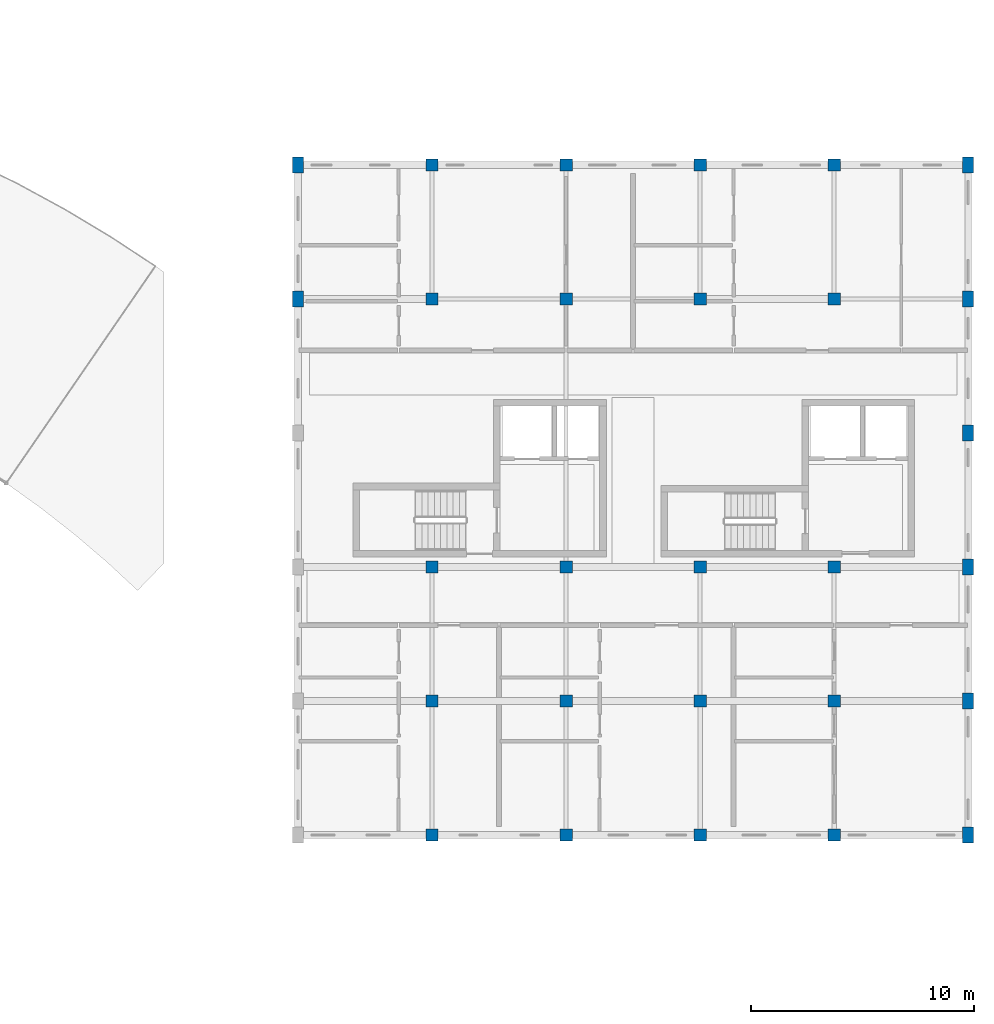
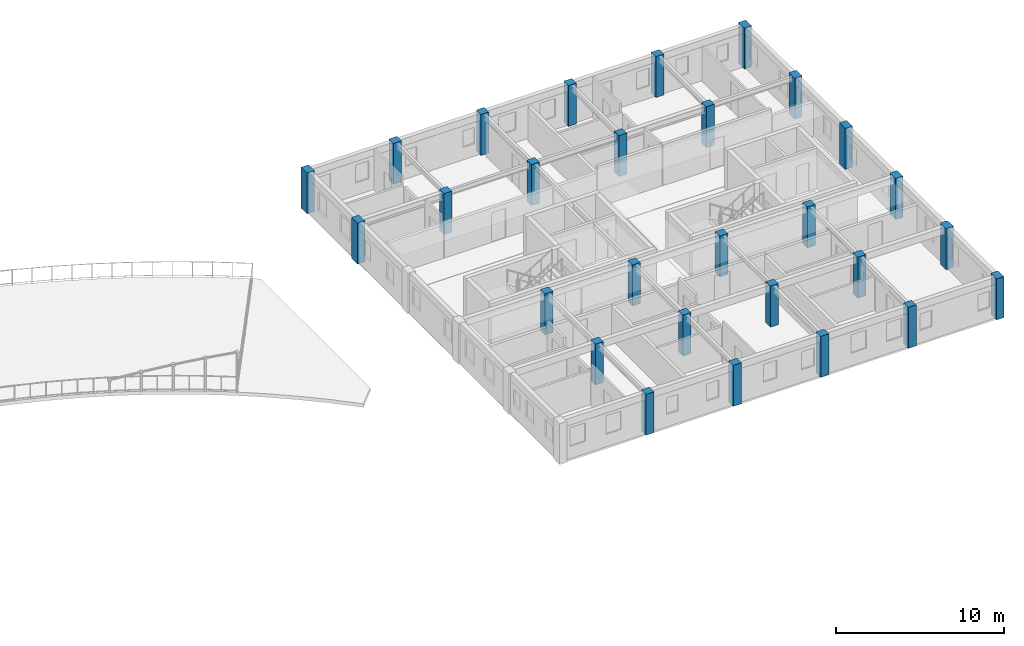
# One storey, part 2 of 58: 28 columns.
"""IFC4 building model written with IfcOpenShell, lengths in metres."""

from ifc_helpers import new_model, si_unit, direction, frame, origin, origin_2d, place, context, subcontext, project, spatial, rectangle, extrude, material, material_profile, profile_set, type_object, element, save


model = new_model("IFC4")

# Units and contexts
model_context = context("Model", 3, precision=1e-05, world=origin(), true_north=direction((0.0, 1.0)))
body_context = subcontext(model_context, "Body", "Model", "MODEL_VIEW")
ifc_project = project(units=[si_unit("LENGTHUNIT", "METRE"), si_unit("AREAUNIT", "SQUARE_METRE"), si_unit("VOLUMEUNIT", "CUBIC_METRE"), si_unit("PLANEANGLEUNIT", "RADIAN"), si_unit("MASSUNIT", "GRAM", prefix="KILO"), si_unit("POWERUNIT", "WATT"), si_unit("THERMODYNAMICTEMPERATUREUNIT", "KELVIN")], contexts=[model_context])

# Site, building, storey
site_placement = place(None, origin())
site = spatial("IfcSite", under=ifc_project, at=site_placement, CompositionType="ELEMENT")
building_placement = place(site_placement, origin())
building = spatial("IfcBuilding", under=site, at=building_placement, Name="Ruvembo Vaulted Housing Court", CompositionType="ELEMENT")
storey_placement = place(building_placement, frame((0.0, 0.0, 20.5)))
storey = spatial("IfcBuildingStorey", under=building, at=storey_placement, Name="L06", CompositionType="ELEMENT", Elevation=20.5)

# Columns
ifc_material = material(Name="Concrete C35/45", Category="concrete")
ifc_material_profile_1 = material_profile(ifc_material, rectangle(XDim=0.5, YDim=0.699951171875, at=origin_2d()), Name="RC 500x700")
ifc_profile_set_1 = profile_set([ifc_material_profile_1], Name="Concrete C35/45")
column_type_1 = type_object("IfcColumnType", Name="COL-RC-500x700", PredefinedType="COLUMN", material=ifc_profile_set_1)
for number, where, z_axis, x_axis, name in (
    (1, (156.0, 96.0, 0.0), (0.0, 0.0, 1.0), (1.0, 0.0, 0.0), "L06 Column (156,96)"),
    (2, (156.0, 102.0, 0.0), (0.0, 0.0, 1.0), (1.0, 0.0, 0.0), "L06 Column (156,102)"),
    (3, (186.0, 72.0, 0.0), (0.0, 0.0, 1.0), (1.0, 0.0, 0.0), "L06 Column (186,72)"),
    (4, (186.0, 78.0, 0.0), (0.0, 0.0, 1.0), (1.0, 0.0, 0.0), "L06 Column (186,78)"),
    (5, (186.0, 84.0, 0.0), (0.0, 0.0, 1.0), (1.0, 0.0, 0.0), "L06 Column (186,84)"),
    (6, (186.0, 90.0, 0.0), (0.0, 0.0, 1.0), (1.0, 0.0, 0.0), "L06 Column (186,90)"),
    (7, (186.0, 96.0, 0.0), (0.0, 0.0, 1.0), (1.0, 0.0, 0.0), "L06 Column (186,96)"),
    (8, (186.0, 102.0, 0.0), (0.0, 0.0, 1.0), (1.0, 0.0, 0.0), "L06 Column (186,102)"),
):
    element("IfcColumn", number, at=place(storey_placement, frame(where, z_axis=z_axis, x_axis=x_axis)), inside=storey, type_object=column_type_1, Name=name, PredefinedType="COLUMN", context=body_context, shape_type="SweptSolid", body=[
        extrude(rectangle(XDim=0.5, YDim=0.699951171875, at=origin_2d()), origin(), (0.0, 0.0, 1.0), 2.969970703125),
    ])
ifc_material_profile_2 = material_profile(ifc_material, rectangle(XDim=0.550048828125, YDim=0.550048828125, at=origin_2d()), Name="RC 550x550")
ifc_profile_set_2 = profile_set([ifc_material_profile_2], Name="Concrete C35/45")
column_type_2 = type_object("IfcColumnType", Name="COL-RC-550", PredefinedType="COLUMN", material=ifc_profile_set_2)
for number, where, z_axis, x_axis, name in (
    (9, (162.0, 72.0, 0.0), (0.0, 0.0, 1.0), (1.0, 0.0, 0.0), "L06 Column (162,72)"),
    (10, (162.0, 78.0, 0.0), (0.0, 0.0, 1.0), (1.0, 0.0, 0.0), "L06 Column (162,78)"),
    (11, (162.0, 84.0, 0.0), (0.0, 0.0, 1.0), (1.0, 0.0, 0.0), "L06 Column (162,84)"),
    (12, (162.0, 96.0, 0.0), (0.0, 0.0, 1.0), (1.0, 0.0, 0.0), "L06 Column (162,96)"),
    (13, (162.0, 102.0, 0.0), (0.0, 0.0, 1.0), (1.0, 0.0, 0.0), "L06 Column (162,102)"),
    (14, (168.0, 72.0, 0.0), (0.0, 0.0, 1.0), (1.0, 0.0, 0.0), "L06 Column (168,72)"),
    (15, (168.0, 78.0, 0.0), (0.0, 0.0, 1.0), (1.0, 0.0, 0.0), "L06 Column (168,78)"),
    (16, (168.0, 84.0, 0.0), (0.0, 0.0, 1.0), (1.0, 0.0, 0.0), "L06 Column (168,84)"),
    (17, (168.0, 96.0, 0.0), (0.0, 0.0, 1.0), (1.0, 0.0, 0.0), "L06 Column (168,96)"),
    (18, (168.0, 102.0, 0.0), (0.0, 0.0, 1.0), (1.0, 0.0, 0.0), "L06 Column (168,102)"),
    (19, (174.0, 72.0, 0.0), (0.0, 0.0, 1.0), (1.0, 0.0, 0.0), "L06 Column (174,72)"),
    (20, (174.0, 78.0, 0.0), (0.0, 0.0, 1.0), (1.0, 0.0, 0.0), "L06 Column (174,78)"),
    (21, (174.0, 84.0, 0.0), (0.0, 0.0, 1.0), (1.0, 0.0, 0.0), "L06 Column (174,84)"),
    (22, (174.0, 96.0, 0.0), (0.0, 0.0, 1.0), (1.0, 0.0, 0.0), "L06 Column (174,96)"),
    (23, (174.0, 102.0, 0.0), (0.0, 0.0, 1.0), (1.0, 0.0, 0.0), "L06 Column (174,102)"),
    (24, (180.0, 72.0, 0.0), (0.0, 0.0, 1.0), (1.0, 0.0, 0.0), "L06 Column (180,72)"),
    (25, (180.0, 78.0, 0.0), (0.0, 0.0, 1.0), (1.0, 0.0, 0.0), "L06 Column (180,78)"),
    (26, (180.0, 84.0, 0.0), (0.0, 0.0, 1.0), (1.0, 0.0, 0.0), "L06 Column (180,84)"),
    (27, (180.0, 96.0, 0.0), (0.0, 0.0, 1.0), (1.0, 0.0, 0.0), "L06 Column (180,96)"),
    (28, (180.0, 102.0, 0.0), (0.0, 0.0, 1.0), (1.0, 0.0, 0.0), "L06 Column (180,102)"),
):
    element("IfcColumn", number, at=place(storey_placement, frame(where, z_axis=z_axis, x_axis=x_axis)), inside=storey, type_object=column_type_2, Name=name, PredefinedType="COLUMN", context=body_context, shape_type="SweptSolid", body=[
        extrude(rectangle(XDim=0.550048828125, YDim=0.550048828125, at=origin_2d()), origin(), (0.0, 0.0, 1.0), 2.969970703125),
    ])

save(model, "model.ifc")
